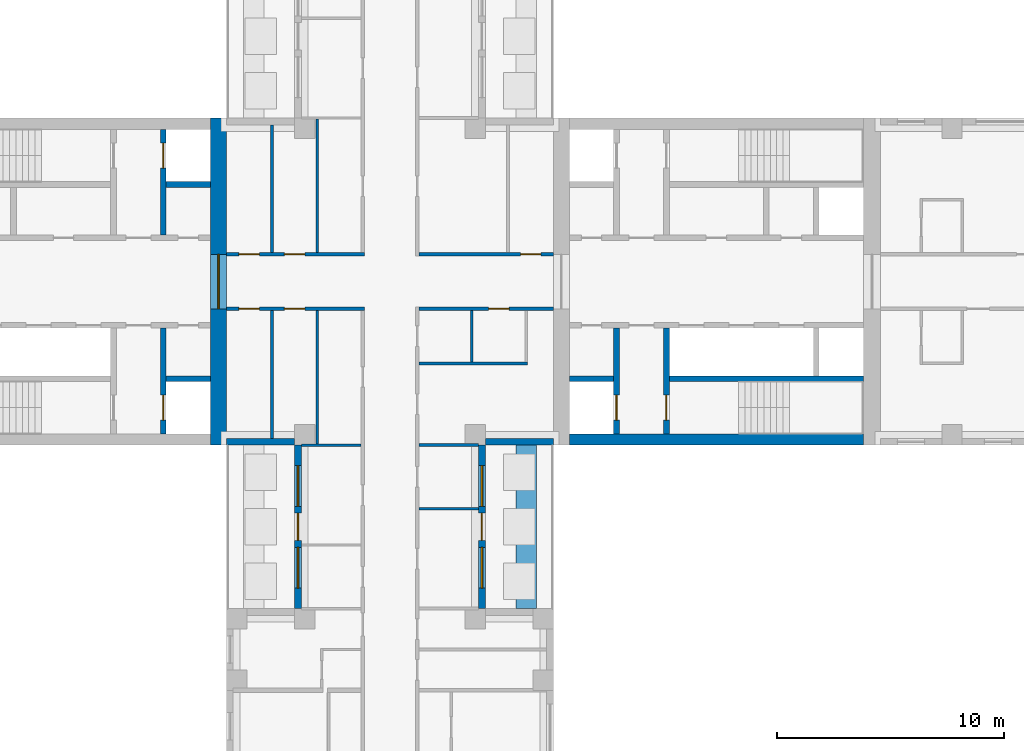
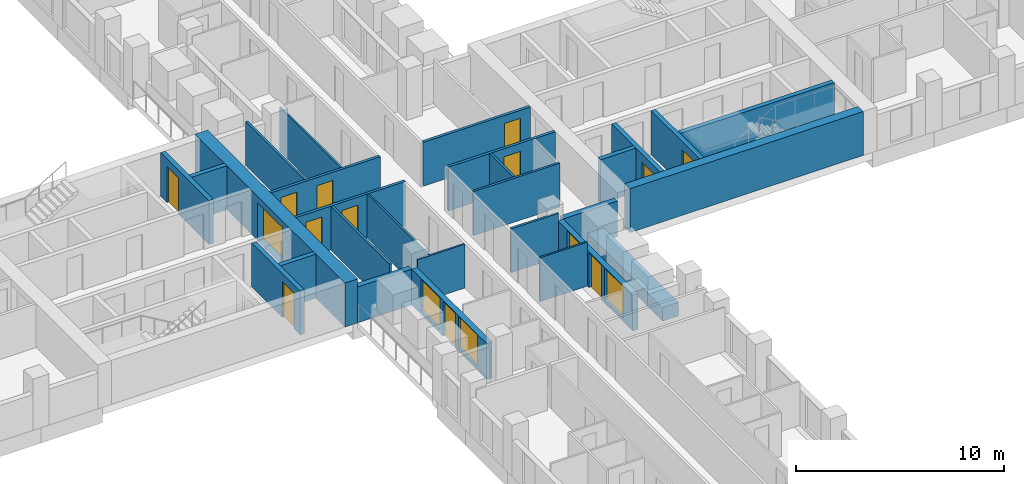
# One storey, part 7 of 15: 28 walls, 13 doors, 4 windows, 17 openings.
"""IFC4 building model written with IfcOpenShell, lengths in metres."""

from ifc_helpers import new_model, si_unit, direction, frame, frame_2d, origin, place, context, subcontext, project, spatial, rectangle, extrude, material, layer, layer_set, type_object, element, fill, save


model = new_model("IFC4")

# Units and contexts
model_context = context("Model", 3, precision=1e-05, world=origin(), true_north=direction((0.0, 1.0)))
body_context = subcontext(model_context, "Body", "Model", "MODEL_VIEW")
ifc_project = project(units=[si_unit("LENGTHUNIT", "METRE"), si_unit("AREAUNIT", "SQUARE_METRE"), si_unit("VOLUMEUNIT", "CUBIC_METRE"), si_unit("PLANEANGLEUNIT", "RADIAN"), si_unit("MASSUNIT", "GRAM", prefix="KILO")], contexts=[model_context])

# Site, building, storey
site_placement = place(None, origin())
site = spatial("IfcSite", under=ifc_project, at=site_placement, CompositionType="ELEMENT")
building_placement = place(site_placement, origin())
building = spatial("IfcBuilding", under=site, at=building_placement, Name="Fustian Cross Tower", CompositionType="ELEMENT")
storey_placement = place(building_placement, frame((0.0, 0.0, 53.699951171875)))
storey = spatial("IfcBuildingStorey", under=building, at=storey_placement, Name="L16", CompositionType="ELEMENT", Elevation=53.699951171875)

# Wall, openings, doors
ifc_material_1 = material(Name="Plasterboard on steel stud", Category="steel")
ifc_layer_1 = layer(ifc_material_1, 0.14990234375)
ifc_layer_set_1 = layer_set([ifc_layer_1], Name="Plasterboard on steel stud")
wall_type_1 = type_object("IfcWallType", Name="COMPARTMENT WALL 150 EI 60", PredefinedType="PARTITIONING", material=ifc_layer_set_1)
wall_1_placement = place(storey_placement, frame((-7.199951171875, -1.199951171875, 0.0), z_axis=(0.0, 0.0, 1.0), x_axis=(1.0, 0.0, 0.0)))
wall_1 = element("IfcWall", 1, at=wall_1_placement, inside=storey, type_object=wall_type_1, Name="Partition 12", PredefinedType="PARTITIONING", context=body_context, shape_type="SweptSolid", body=[
    extrude(rectangle(XDim=6.074951171875, YDim=0.14990234375, at=frame_2d((3.03759765625, 0.0))), origin(), (0.0, 0.0, 1.0), 2.574951171875),
])
opening_1_placement = place(wall_1_placement, frame((2.550048828125, 0.0, 0.0)))
opening_1 = element("IfcOpeningElement", 2, at=opening_1_placement, cuts=wall_1, Name="Opening D09010", PredefinedType="OPENING", context=body_context, shape_type="SweptSolid", body=[
    extrude(rectangle(XDim=0.89990234375, YDim=2.10009765625, at=frame_2d((0.449951171875, 1.050048828125))), frame((0.0, 0.0849609375, 0.0), z_axis=(0.0, -1.0, 0.0), x_axis=(1.0, 0.0, 0.0)), (0.0, 0.0, 1.0), 0.169921875),
])
opening_2_placement = place(wall_1_placement, frame((0.550048828125, 0.0, 0.0)))
opening_2 = element("IfcOpeningElement", 3, at=opening_2_placement, cuts=wall_1, Name="Opening D09011", PredefinedType="OPENING", context=body_context, shape_type="SweptSolid", body=[
    extrude(rectangle(XDim=0.89990234375, YDim=2.10009765625, at=frame_2d((0.449951171875, 1.050048828125))), frame((0.0, 0.0849609375, 0.0), z_axis=(0.0, -1.0, 0.0), x_axis=(1.0, 0.0, 0.0)), (0.0, 0.0, 1.0), 0.169921875),
])
ifc_material_2 = material(Name="Timber fire door set", Category="wood")
door_type_1 = type_object("IfcDoorType", Name="FIRE SWING DOOR 900 FD30S", OperationType="SINGLE_SWING_LEFT", PredefinedType="DOOR", material=ifc_material_2)
door_1_placement = place(opening_1_placement, frame((0.89990234375, 0.0, 0.0), z_axis=(0.0, 0.0, 1.0), x_axis=(-1.0, 0.0, 0.0)))
door_1 = element("IfcDoor", 4, at=door_1_placement, inside=storey, type_object=door_type_1, Name="Door D09010", OperationType="SINGLE_SWING_RIGHT", OverallHeight=2.10009765625, OverallWidth=0.89990234375, PredefinedType="DOOR", context=body_context, shape_type="SweptSolid", body=[
    extrude(rectangle(XDim=0.89990234375, YDim=2.10009765625, at=frame_2d((0.449951171875, 1.050048828125))), frame((0.0, 0.02490234375, 0.0), z_axis=(0.0, -1.0, 0.0), x_axis=(1.0, 0.0, 0.0)), (0.0, 0.0, 1.0), 0.050048828125),
])
fill(opening_1, door_1)
door_2_placement = place(opening_2_placement, frame((0.89990234375, 0.0, 0.0), z_axis=(0.0, 0.0, 1.0), x_axis=(-1.0, 0.0, 0.0)))
door_2 = element("IfcDoor", 5, at=door_2_placement, inside=storey, type_object=door_type_1, Name="Door D09011", OperationType="SINGLE_SWING_RIGHT", OverallHeight=2.10009765625, OverallWidth=0.89990234375, PredefinedType="DOOR", context=body_context, shape_type="SweptSolid", body=[
    extrude(rectangle(XDim=0.89990234375, YDim=2.10009765625, at=frame_2d((0.449951171875, 1.050048828125))), frame((0.0, 0.02490234375, 0.0), z_axis=(0.0, -1.0, 0.0), x_axis=(1.0, 0.0, 0.0)), (0.0, 0.0, 1.0), 0.050048828125),
])
fill(opening_2, door_2)

wall_2_placement = place(storey_placement, frame((-7.199951171875, 1.199951171875, 0.0), z_axis=(0.0, 0.0, 1.0), x_axis=(1.0, 0.0, 0.0)))
wall_2 = element("IfcWall", 6, at=wall_2_placement, inside=storey, type_object=wall_type_1, Name="Partition 13", PredefinedType="PARTITIONING", context=body_context, shape_type="SweptSolid", body=[
    extrude(rectangle(XDim=6.074951171875, YDim=0.14990234375, at=frame_2d((3.03759765625, 0.0))), origin(), (0.0, 0.0, 1.0), 2.574951171875),
])
opening_3_placement = place(wall_2_placement, frame((2.550048828125, 0.0, 0.0)))
opening_3 = element("IfcOpeningElement", 7, at=opening_3_placement, cuts=wall_2, Name="Opening D09004", PredefinedType="OPENING", context=body_context, shape_type="SweptSolid", body=[
    extrude(rectangle(XDim=0.89990234375, YDim=2.10009765625, at=frame_2d((0.449951171875, 1.050048828125))), frame((0.0, 0.0849609375, 0.0), z_axis=(0.0, -1.0, 0.0), x_axis=(1.0, 0.0, 0.0)), (0.0, 0.0, 1.0), 0.169921875),
])
opening_4_placement = place(wall_2_placement, frame((0.550048828125, 0.0, 0.0)))
opening_4 = element("IfcOpeningElement", 8, at=opening_4_placement, cuts=wall_2, Name="Opening D09005", PredefinedType="OPENING", context=body_context, shape_type="SweptSolid", body=[
    extrude(rectangle(XDim=0.89990234375, YDim=2.10009765625, at=frame_2d((0.449951171875, 1.050048828125))), frame((0.0, 0.0849609375, 0.0), z_axis=(0.0, -1.0, 0.0), x_axis=(1.0, 0.0, 0.0)), (0.0, 0.0, 1.0), 0.169921875),
])
door_3_placement = place(opening_3_placement, origin())
door_3 = element("IfcDoor", 9, at=door_3_placement, inside=storey, type_object=door_type_1, Name="Door D09004", OperationType="SINGLE_SWING_LEFT", OverallHeight=2.10009765625, OverallWidth=0.89990234375, PredefinedType="DOOR", context=body_context, shape_type="SweptSolid", body=[
    extrude(rectangle(XDim=0.89990234375, YDim=2.10009765625, at=frame_2d((0.449951171875, 1.050048828125))), frame((0.0, 0.02490234375, 0.0), z_axis=(0.0, -1.0, 0.0), x_axis=(1.0, 0.0, 0.0)), (0.0, 0.0, 1.0), 0.050048828125),
])
fill(opening_3, door_3)
door_4_placement = place(opening_4_placement, origin())
door_4 = element("IfcDoor", 10, at=door_4_placement, inside=storey, type_object=door_type_1, Name="Door D09005", OperationType="SINGLE_SWING_LEFT", OverallHeight=2.10009765625, OverallWidth=0.89990234375, PredefinedType="DOOR", context=body_context, shape_type="SweptSolid", body=[
    extrude(rectangle(XDim=0.89990234375, YDim=2.10009765625, at=frame_2d((0.449951171875, 1.050048828125))), frame((0.0, 0.02490234375, 0.0), z_axis=(0.0, -1.0, 0.0), x_axis=(1.0, 0.0, 0.0)), (0.0, 0.0, 1.0), 0.050048828125),
])
fill(opening_4, door_4)

# Wall, opening, door
wall_3_placement = place(storey_placement, frame((1.27490234375, -1.199951171875, 0.0), z_axis=(0.0, 0.0, 1.0), x_axis=(1.0, 0.0, 0.0)))
wall_3 = element("IfcWall", 11, at=wall_3_placement, inside=storey, type_object=wall_type_1, Name="Partition 56", PredefinedType="PARTITIONING", context=body_context, shape_type="SweptSolid", body=[
    extrude(rectangle(XDim=5.925048828125, YDim=0.14990234375, at=frame_2d((2.96240234375, 0.0))), origin(), (0.0, 0.0, 1.0), 2.574951171875),
])
opening_5_placement = place(wall_3_placement, frame((3.074951171875, 0.0, 0.0)))
opening_5 = element("IfcOpeningElement", 12, at=opening_5_placement, cuts=wall_3, Name="Opening D09007", PredefinedType="OPENING", context=body_context, shape_type="SweptSolid", body=[
    extrude(rectangle(XDim=0.89990234375, YDim=2.10009765625, at=frame_2d((0.449951171875, 1.050048828125))), frame((0.0, 0.0849609375, 0.0), z_axis=(0.0, -1.0, 0.0), x_axis=(1.0, 0.0, 0.0)), (0.0, 0.0, 1.0), 0.169921875),
])
door_5_placement = place(opening_5_placement, frame((0.89990234375, 0.0, 0.0), z_axis=(0.0, 0.0, 1.0), x_axis=(-1.0, 0.0, 0.0)))
door_5 = element("IfcDoor", 13, at=door_5_placement, inside=storey, type_object=door_type_1, Name="Door D09007", OperationType="SINGLE_SWING_RIGHT", OverallHeight=2.10009765625, OverallWidth=0.89990234375, PredefinedType="DOOR", context=body_context, shape_type="SweptSolid", body=[
    extrude(rectangle(XDim=0.89990234375, YDim=2.10009765625, at=frame_2d((0.449951171875, 1.050048828125))), frame((0.0, 0.02490234375, 0.0), z_axis=(0.0, -1.0, 0.0), x_axis=(1.0, 0.0, 0.0)), (0.0, 0.0, 1.0), 0.050048828125),
])
fill(opening_5, door_5)

wall_4_placement = place(storey_placement, frame((1.27490234375, 1.199951171875, 0.0), z_axis=(0.0, 0.0, 1.0), x_axis=(1.0, 0.0, 0.0)))
wall_4 = element("IfcWall", 14, at=wall_4_placement, inside=storey, type_object=wall_type_1, Name="Partition 58", PredefinedType="PARTITIONING", context=body_context, shape_type="SweptSolid", body=[
    extrude(rectangle(XDim=5.925048828125, YDim=0.14990234375, at=frame_2d((2.96240234375, 0.0))), origin(), (0.0, 0.0, 1.0), 2.574951171875),
])
opening_6_placement = place(wall_4_placement, frame((4.47509765625, 0.0, 0.0)))
opening_6 = element("IfcOpeningElement", 15, at=opening_6_placement, cuts=wall_4, Name="Opening D09002", PredefinedType="OPENING", context=body_context, shape_type="SweptSolid", body=[
    extrude(rectangle(XDim=0.89990234375, YDim=2.10009765625, at=frame_2d((0.449951171875, 1.050048828125))), frame((0.0, 0.0849609375, 0.0), z_axis=(0.0, -1.0, 0.0), x_axis=(1.0, 0.0, 0.0)), (0.0, 0.0, 1.0), 0.169921875),
])
door_6_placement = place(opening_6_placement, origin())
door_6 = element("IfcDoor", 16, at=door_6_placement, inside=storey, type_object=door_type_1, Name="Door D09002", OperationType="SINGLE_SWING_LEFT", OverallHeight=2.10009765625, OverallWidth=0.89990234375, PredefinedType="DOOR", context=body_context, shape_type="SweptSolid", body=[
    extrude(rectangle(XDim=0.89990234375, YDim=2.10009765625, at=frame_2d((0.449951171875, 1.050048828125))), frame((0.0, 0.02490234375, 0.0), z_axis=(0.0, -1.0, 0.0), x_axis=(1.0, 0.0, 0.0)), (0.0, 0.0, 1.0), 0.050048828125),
])
fill(opening_6, door_6)

ifc_material_3 = material(Name="Concrete C80/95", Category="concrete")
ifc_layer_2 = layer(ifc_material_3, 0.699951171875)
ifc_layer_set_2 = layer_set([ifc_layer_2], Name="Concrete C80/95")
wall_type_2 = type_object("IfcWallType", Name="CORE END WALL 700 C80/95", PredefinedType="SHEAR", material=ifc_layer_set_2)
wall_5_placement = place(storey_placement, frame((-7.550048828125, -7.199951171875, 0.0), z_axis=(0.0, 0.0, 1.0), x_axis=(0.0, 1.0, 0.0)))
wall_5 = element("IfcWall", 17, at=wall_5_placement, inside=storey, type_object=wall_type_2, Name="Core end wall", PredefinedType="SHEAR", context=body_context, shape_type="SweptSolid", body=[
    extrude(rectangle(XDim=14.39990234375, YDim=0.699951171875, at=frame_2d((7.199951171875, 0.0))), origin(), (0.0, 0.0, 1.0), 2.574951171875),
])
opening_7_placement = place(wall_5_placement, frame((6.0, 0.0, 0.0)))
opening_7 = element("IfcOpeningElement", 18, at=opening_7_placement, cuts=wall_5, Name="Opening CD-06-27", PredefinedType="OPENING", context=body_context, shape_type="SweptSolid", body=[
    extrude(rectangle(XDim=2.39990234375, YDim=2.199951171875, at=frame_2d((1.199951171875, 1.10009765625))), frame((0.0, 0.35986328125, 0.0), z_axis=(0.0, -1.0, 0.0), x_axis=(1.0, 0.0, 0.0)), (0.0, 0.0, 1.0), 0.719970703125),
])
ifc_material_4 = material(Name="Steel", Category="steel")
door_type_2 = type_object("IfcDoorType", Name="FIRE DOOR FD30S DOUBLE 2400X2200", OperationType="DOUBLE_DOOR_DOUBLE_SWING", PredefinedType="DOOR", material=ifc_material_4)
door_7_placement = place(opening_7_placement, origin())
door_7 = element("IfcDoor", 19, at=door_7_placement, inside=storey, type_object=door_type_2, Name="Core door CD-06-27", OperationType="DOUBLE_DOOR_DOUBLE_SWING", OverallHeight=2.199951171875, OverallWidth=2.39990234375, PredefinedType="DOOR", context=body_context, shape_type="SweptSolid", body=[
    extrude(rectangle(XDim=2.39990234375, YDim=2.199951171875, at=frame_2d((1.199951171875, 1.10009765625))), frame((0.0, 0.02490234375, 0.0), z_axis=(0.0, -1.0, 0.0), x_axis=(1.0, 0.0, 0.0)), (0.0, 0.0, 1.0), 0.050048828125),
])
fill(opening_7, door_7)

# Walls
ifc_material_5 = material(Name="Concrete C80/95", Category="concrete")
ifc_layer_3 = layer(ifc_material_5, 0.5)
ifc_layer_set_3 = layer_set([ifc_layer_3], Name="Concrete C80/95")
wall_type_3 = type_object("IfcWallType", Name="CORE FACADE WALL 500 C80/95", PredefinedType="SHEAR", material=ifc_layer_set_3)
wall_6_placement = place(storey_placement, frame((7.89990234375, -6.949951171875, 0.0), z_axis=(0.0, 0.0, 1.0), x_axis=(1.0, 0.0, 0.0)))
element("IfcWall", 20, at=wall_6_placement, inside=storey, type_object=wall_type_3, Name="Core facade wall", PredefinedType="SHEAR", context=body_context, shape_type="SweptSolid", body=[
    extrude(rectangle(XDim=12.9501953125, YDim=0.5, at=frame_2d((6.47509765625, 0.0))), origin(), (0.0, 0.0, 1.0), 2.574951171875),
])
ifc_material_6 = material(Name="Concrete C50/60", Category="concrete")
ifc_layer_4 = layer(ifc_material_6, 0.25)
ifc_layer_set_4 = layer_set([ifc_layer_4], Name="Concrete C50/60")
wall_type_4 = type_object("IfcWallType", Name="CORE SHAFT WALL 250 C50/60", PredefinedType="SHEAR", material=ifc_layer_set_4)
wall_7_placement = place(storey_placement, frame((7.89990234375, -4.27490234375, 0.0), z_axis=(0.0, 0.0, 1.0), x_axis=(1.0, 0.0, 0.0)))
element("IfcWall", 21, at=wall_7_placement, inside=storey, type_object=wall_type_4, Name="Core shaft wall", PredefinedType="SHEAR", context=body_context, shape_type="SweptSolid", body=[
    extrude(rectangle(XDim=1.9501953125, YDim=0.25, at=frame_2d((0.97509765625, 0.0))), origin(), (0.0, 0.0, 1.0), 2.574951171875),
])
wall_8_placement = place(storey_placement, frame((12.300048828125, -4.27490234375, 0.0), z_axis=(0.0, 0.0, 1.0), x_axis=(1.0, 0.0, 0.0)))
element("IfcWall", 22, at=wall_8_placement, inside=storey, type_object=wall_type_4, Name="Core shaft wall", PredefinedType="SHEAR", context=body_context, shape_type="SweptSolid", body=[
    extrude(rectangle(XDim=8.550048828125, YDim=0.25, at=frame_2d((4.27490234375, 0.0))), origin(), (0.0, 0.0, 1.0), 2.574951171875),
])

# Wall, opening, door
wall_9_placement = place(storey_placement, frame((9.97509765625, -2.050048828125, 0.0), z_axis=(0.0, 0.0, 1.0), x_axis=(0.0, -1.0, 0.0)))
wall_9 = element("IfcWall", 23, at=wall_9_placement, inside=storey, type_object=wall_type_4, Name="Core shaft wall", PredefinedType="SHEAR", context=body_context, shape_type="SweptSolid", body=[
    extrude(rectangle(XDim=4.64990234375, YDim=0.25, at=frame_2d((2.324951171875, 0.0))), origin(), (0.0, 0.0, 1.0), 2.574951171875),
])
opening_8_placement = place(wall_9_placement, frame((2.949951171875, 0.0, 0.0)))
opening_8 = element("IfcOpeningElement", 24, at=opening_8_placement, cuts=wall_9, Name="Opening LD", PredefinedType="OPENING", context=body_context, shape_type="SweptSolid", body=[
    extrude(rectangle(XDim=1.10009765625, YDim=2.10009765625, at=frame_2d((0.550048828125, 1.050048828125))), frame((0.0, 0.135009765625, 0.0), z_axis=(0.0, -1.0, 0.0), x_axis=(1.0, 0.0, 0.0)), (0.0, 0.0, 1.0), 0.27001953125),
])
ifc_material_7 = material(Name="Stainless steel", Category="steel")
door_type_3 = type_object("IfcDoorType", Name="LIFT LANDING DOOR 1100X2100", OperationType="SLIDING_TO_LEFT", PredefinedType="DOOR", material=ifc_material_7)
door_8_placement = place(opening_8_placement, origin())
door_8 = element("IfcDoor", 25, at=door_8_placement, inside=storey, type_object=door_type_3, Name="Landing door SV1", OperationType="SLIDING_TO_LEFT", OverallHeight=2.10009765625, OverallWidth=1.10009765625, PredefinedType="DOOR", context=body_context, shape_type="SweptSolid", body=[
    extrude(rectangle(XDim=1.10009765625, YDim=2.10009765625, at=frame_2d((0.550048828125, 1.050048828125))), frame((0.0, 0.02490234375, 0.0), z_axis=(0.0, -1.0, 0.0), x_axis=(1.0, 0.0, 0.0)), (0.0, 0.0, 1.0), 0.050048828125),
])
fill(opening_8, door_8)

wall_10_placement = place(storey_placement, frame((12.175048828125, -2.050048828125, 0.0), z_axis=(0.0, 0.0, 1.0), x_axis=(0.0, -1.0, 0.0)))
wall_10 = element("IfcWall", 26, at=wall_10_placement, inside=storey, type_object=wall_type_4, Name="Core shaft wall", PredefinedType="SHEAR", context=body_context, shape_type="SweptSolid", body=[
    extrude(rectangle(XDim=4.64990234375, YDim=0.25, at=frame_2d((2.324951171875, 0.0))), origin(), (0.0, 0.0, 1.0), 2.574951171875),
])
opening_9_placement = place(wall_10_placement, frame((2.949951171875, 0.0, 0.0)))
opening_9 = element("IfcOpeningElement", 27, at=opening_9_placement, cuts=wall_10, Name="Opening CD-06-07", PredefinedType="OPENING", context=body_context, shape_type="SweptSolid", body=[
    extrude(rectangle(XDim=1.10009765625, YDim=2.10009765625, at=frame_2d((0.550048828125, 1.050048828125))), frame((0.0, 0.135009765625, 0.0), z_axis=(0.0, -1.0, 0.0), x_axis=(1.0, 0.0, 0.0)), (0.0, 0.0, 1.0), 0.27001953125),
])
ifc_material_8 = material(Name="Steel", Category="steel")
door_type_4 = type_object("IfcDoorType", Name="FIRE DOOR FD60S 1100X2100", OperationType="SINGLE_SWING_LEFT", PredefinedType="DOOR", material=ifc_material_8)
door_9_placement = place(opening_9_placement, origin())
door_9 = element("IfcDoor", 28, at=door_9_placement, inside=storey, type_object=door_type_4, Name="Core door CD-06-07", OperationType="SINGLE_SWING_LEFT", OverallHeight=2.10009765625, OverallWidth=1.10009765625, PredefinedType="DOOR", context=body_context, shape_type="SweptSolid", body=[
    extrude(rectangle(XDim=1.10009765625, YDim=2.10009765625, at=frame_2d((0.550048828125, 1.050048828125))), frame((0.0, 0.02490234375, 0.0), z_axis=(0.0, -1.0, 0.0), x_axis=(1.0, 0.0, 0.0)), (0.0, 0.0, 1.0), 0.050048828125),
])
fill(opening_9, door_9)

# Wall
wall_11_placement = place(storey_placement, frame((-7.89990234375, 4.27490234375, 0.0), z_axis=(0.0, 0.0, 1.0), x_axis=(-1.0, 0.0, 0.0)))
element("IfcWall", 29, at=wall_11_placement, inside=storey, type_object=wall_type_4, Name="Core shaft wall", PredefinedType="SHEAR", context=body_context, shape_type="SweptSolid", body=[
    extrude(rectangle(XDim=1.9501953125, YDim=0.25, at=frame_2d((0.97509765625, 0.0))), origin(), (0.0, 0.0, 1.0), 2.574951171875),
])

# Wall, opening, door
wall_12_placement = place(storey_placement, frame((-9.97509765625, 2.050048828125, 0.0), z_axis=(0.0, 0.0, 1.0), x_axis=(0.0, 1.0, 0.0)))
wall_12 = element("IfcWall", 30, at=wall_12_placement, inside=storey, type_object=wall_type_4, Name="Core shaft wall", PredefinedType="SHEAR", context=body_context, shape_type="SweptSolid", body=[
    extrude(rectangle(XDim=4.64990234375, YDim=0.25, at=frame_2d((2.324951171875, 0.0))), origin(), (0.0, 0.0, 1.0), 2.574951171875),
])
opening_10_placement = place(wall_12_placement, frame((2.949951171875, 0.0, 0.0)))
opening_10 = element("IfcOpeningElement", 31, at=opening_10_placement, cuts=wall_12, Name="Opening LD", PredefinedType="OPENING", context=body_context, shape_type="SweptSolid", body=[
    extrude(rectangle(XDim=1.10009765625, YDim=2.10009765625, at=frame_2d((0.550048828125, 1.050048828125))), frame((0.0, 0.135009765625, 0.0), z_axis=(0.0, -1.0, 0.0), x_axis=(1.0, 0.0, 0.0)), (0.0, 0.0, 1.0), 0.27001953125),
])
door_10_placement = place(opening_10_placement, origin())
door_10 = element("IfcDoor", 32, at=door_10_placement, inside=storey, type_object=door_type_3, Name="Landing door FL1W", OperationType="SLIDING_TO_LEFT", OverallHeight=2.10009765625, OverallWidth=1.10009765625, PredefinedType="DOOR", context=body_context, shape_type="SweptSolid", body=[
    extrude(rectangle(XDim=1.10009765625, YDim=2.10009765625, at=frame_2d((0.550048828125, 1.050048828125))), frame((0.0, 0.02490234375, 0.0), z_axis=(0.0, -1.0, 0.0), x_axis=(1.0, 0.0, 0.0)), (0.0, 0.0, 1.0), 0.050048828125),
])
fill(opening_10, door_10)

# Wall
wall_13_placement = place(storey_placement, frame((-7.89990234375, -4.27490234375, 0.0), z_axis=(0.0, 0.0, 1.0), x_axis=(-1.0, 0.0, 0.0)))
element("IfcWall", 33, at=wall_13_placement, inside=storey, type_object=wall_type_4, Name="Core shaft wall", PredefinedType="SHEAR", context=body_context, shape_type="SweptSolid", body=[
    extrude(rectangle(XDim=1.9501953125, YDim=0.25, at=frame_2d((0.97509765625, 0.0))), origin(), (0.0, 0.0, 1.0), 2.574951171875),
])

# Wall, opening, door
wall_14_placement = place(storey_placement, frame((-9.97509765625, -2.050048828125, 0.0), z_axis=(0.0, 0.0, 1.0), x_axis=(0.0, -1.0, 0.0)))
wall_14 = element("IfcWall", 34, at=wall_14_placement, inside=storey, type_object=wall_type_4, Name="Core shaft wall", PredefinedType="SHEAR", context=body_context, shape_type="SweptSolid", body=[
    extrude(rectangle(XDim=4.64990234375, YDim=0.25, at=frame_2d((2.324951171875, 0.0))), origin(), (0.0, 0.0, 1.0), 2.574951171875),
])
opening_11_placement = place(wall_14_placement, frame((2.949951171875, 0.0, 0.0)))
opening_11 = element("IfcOpeningElement", 35, at=opening_11_placement, cuts=wall_14, Name="Opening LD", PredefinedType="OPENING", context=body_context, shape_type="SweptSolid", body=[
    extrude(rectangle(XDim=1.10009765625, YDim=2.10009765625, at=frame_2d((0.550048828125, 1.050048828125))), frame((0.0, 0.135009765625, 0.0), z_axis=(0.0, -1.0, 0.0), x_axis=(1.0, 0.0, 0.0)), (0.0, 0.0, 1.0), 0.27001953125),
])
door_11_placement = place(opening_11_placement, origin())
door_11 = element("IfcDoor", 36, at=door_11_placement, inside=storey, type_object=door_type_3, Name="Landing door SV1W", OperationType="SLIDING_TO_LEFT", OverallHeight=2.10009765625, OverallWidth=1.10009765625, PredefinedType="DOOR", context=body_context, shape_type="SweptSolid", body=[
    extrude(rectangle(XDim=1.10009765625, YDim=2.10009765625, at=frame_2d((0.550048828125, 1.050048828125))), frame((0.0, 0.02490234375, 0.0), z_axis=(0.0, -1.0, 0.0), x_axis=(1.0, 0.0, 0.0)), (0.0, 0.0, 1.0), 0.050048828125),
])
fill(opening_11, door_11)

# Walls
ifc_material_9 = material(Name="Plasterboard on steel stud", Category="steel")
ifc_layer_5 = layer(ifc_material_9, 0.10009765625)
ifc_layer_set_5 = layer_set([ifc_layer_5], Name="Plasterboard on steel stud")
wall_type_5 = type_object("IfcWallType", Name="PARTITION 100 STUD", PredefinedType="PARTITIONING", material=ifc_layer_set_5)
wall_15_placement = place(storey_placement, frame((-3.89990234375, -7.199951171875, 0.0), z_axis=(0.0, 0.0, 1.0), x_axis=(1.0, 0.0, 0.0)))
element("IfcWall", 37, at=wall_15_placement, inside=storey, type_object=wall_type_5, Name="Partition 30", PredefinedType="PARTITIONING", context=body_context, shape_type="SweptSolid", body=[
    extrude(rectangle(XDim=2.625, YDim=0.10009765625, at=frame_2d((1.3125, 0.0))), origin(), (0.0, 0.0, 1.0), 2.574951171875),
])
for number, where, z_axis, x_axis, name in (
    (38, (-3.199951171875, -7.14990234375, 0.0), (0.0, 0.0, 1.0), (0.0, 1.0, 0.0), "Partition 40"),
    (39, (-3.199951171875, 1.27490234375, 0.0), (0.0, 0.0, 1.0), (0.0, 1.0, 0.0), "Partition 41"),
):
    element("IfcWall", number, at=place(storey_placement, frame(where, z_axis=z_axis, x_axis=x_axis)), inside=storey, type_object=wall_type_5, Name=name, PredefinedType="PARTITIONING", context=body_context, shape_type="SweptSolid", body=[
        extrude(rectangle(XDim=5.875, YDim=0.10009765625, at=frame_2d((2.9375, 0.0))), origin(), (0.0, 0.0, 1.0), 2.574951171875),
    ])
wall_16_placement = place(storey_placement, frame((1.27490234375, -10.0, 0.0), z_axis=(0.0, 0.0, 1.0), x_axis=(1.0, 0.0, 0.0)))
element("IfcWall", 40, at=wall_16_placement, inside=storey, type_object=wall_type_5, Name="Partition 53", PredefinedType="PARTITIONING", context=body_context, shape_type="SweptSolid", body=[
    extrude(rectangle(XDim=2.625, YDim=0.10009765625, at=frame_2d((1.3125, 0.0))), origin(), (0.0, 0.0, 1.0), 2.574951171875),
])
ifc_material_10 = material(Name="Concrete C40/50", Category="concrete")
ifc_layer_6 = layer(ifc_material_10, 0.89990234375)
ifc_layer_set_6 = layer_set([ifc_layer_6], Name="Concrete C40/50")
wall_type_6 = type_object("IfcWallType", Name="PK1 PLANTER 900", PredefinedType="PARAPET", material=ifc_layer_set_6)
wall_17_placement = place(storey_placement, frame((6.0, -14.39990234375, 0.0), z_axis=(0.0, 0.0, 1.0), x_axis=(0.0, 1.0, 0.0)))
element("IfcWall", 41, at=wall_17_placement, inside=storey, type_object=wall_type_6, Name="PLANTER", PredefinedType="PARAPET", context=body_context, shape_type="SweptSolid", body=[
    extrude(rectangle(XDim=7.199951171875, YDim=0.89990234375, at=frame_2d((3.60009765625, 0.0))), origin(), (0.0, 0.0, 1.0), 0.800048828125),
])
ifc_material_11 = material(Name="Plasterboard on steel stud", Category="steel")
ifc_layer_7 = layer(ifc_material_11, 0.125)
ifc_layer_set_7 = layer_set([ifc_layer_7], Name="Plasterboard on steel stud")
wall_type_7 = type_object("IfcWallType", Name="WET WALL 125 STUD", PredefinedType="PARTITIONING", material=ifc_layer_set_7)
for number, where, z_axis, x_axis, name in (
    (42, (-5.199951171875, -6.89990234375, 0.0), (0.0, 0.0, 1.0), (0.0, 1.0, 0.0), "Partition 22"),
    (43, (-5.199951171875, 1.27490234375, 0.0), (0.0, 0.0, 1.0), (0.0, 1.0, 0.0), "Partition 23"),
):
    element("IfcWall", number, at=place(storey_placement, frame(where, z_axis=z_axis, x_axis=x_axis)), inside=storey, type_object=wall_type_7, Name=name, PredefinedType="PARTITIONING", context=body_context, shape_type="SweptSolid", body=[
        extrude(rectangle(XDim=5.625, YDim=0.125, at=frame_2d((2.8125, 0.0))), origin(), (0.0, 0.0, 1.0), 2.574951171875),
    ])
wall_18_placement = place(storey_placement, frame((1.27490234375, -7.199951171875, 0.0), z_axis=(0.0, 0.0, 1.0), x_axis=(1.0, 0.0, 0.0)))
element("IfcWall", 44, at=wall_18_placement, inside=storey, type_object=wall_type_7, Name="Partition 54", PredefinedType="PARTITIONING", context=body_context, shape_type="SweptSolid", body=[
    extrude(rectangle(XDim=2.625, YDim=0.125, at=frame_2d((1.3125, 0.0))), origin(), (0.0, 0.0, 1.0), 2.574951171875),
])
wall_19_placement = place(storey_placement, frame((1.27490234375, -3.60009765625, 0.0), z_axis=(0.0, 0.0, 1.0), x_axis=(1.0, 0.0, 0.0)))
element("IfcWall", 45, at=wall_19_placement, inside=storey, type_object=wall_type_7, Name="Partition 55", PredefinedType="PARTITIONING", context=body_context, shape_type="SweptSolid", body=[
    extrude(rectangle(XDim=4.78759765625, YDim=0.125, at=frame_2d((2.393798828125, 0.0))), origin(), (0.0, 0.0, 1.0), 2.574951171875),
])
wall_20_placement = place(storey_placement, frame((3.60009765625, -3.53759765625, 0.0), z_axis=(0.0, 0.0, 1.0), x_axis=(0.0, 1.0, 0.0)))
element("IfcWall", 46, at=wall_20_placement, inside=storey, type_object=wall_type_7, Name="Partition 76", PredefinedType="PARTITIONING", context=body_context, shape_type="SweptSolid", body=[
    extrude(rectangle(XDim=2.2626953125, YDim=0.125, at=frame_2d((1.13134765625, 0.0))), origin(), (0.0, 0.0, 1.0), 2.574951171875),
])
ifc_material_12 = material(Name="Dark aluminium cladding on insulated backing wall", Category="aluminium")
ifc_layer_8 = layer(ifc_material_12, 0.300048828125)
ifc_layer_set_8 = layer_set([ifc_layer_8], Name="Dark aluminium cladding on insulated backing wall")
wall_type_8 = type_object("IfcWallType", Name="XW1 EXTERNAL WALL 300", PredefinedType="SOLIDWALL", material=ifc_layer_set_8)
wall_21_placement = place(storey_placement, frame((-7.199951171875, -7.050048828125, 0.0), z_axis=(0.0, 0.0, 1.0), x_axis=(1.0, 0.0, 0.0)))
element("IfcWall", 47, at=wall_21_placement, inside=storey, type_object=wall_type_8, Name="External wall", PredefinedType="SOLIDWALL", context=body_context, shape_type="SweptSolid", body=[
    extrude(rectangle(XDim=3.0, YDim=0.300048828125, at=frame_2d((1.5, 0.0))), origin(), (0.0, 0.0, 1.0), 2.10009765625),
])

# Wall, openings, door, windows
wall_22_placement = place(storey_placement, frame((-4.050048828125, -7.199951171875, 0.0), z_axis=(0.0, 0.0, 1.0), x_axis=(0.0, -1.0, 0.0)))
wall_22 = element("IfcWall", 48, at=wall_22_placement, inside=storey, type_object=wall_type_8, Name="External wall", PredefinedType="SOLIDWALL", context=body_context, shape_type="SweptSolid", body=[
    extrude(rectangle(XDim=7.199951171875, YDim=0.300048828125, at=frame_2d((3.60009765625, 0.0))), origin(), (0.0, 0.0, 1.0), 2.10009765625),
])
opening_12_placement = place(wall_22_placement, frame((3.0, 0.0, 0.0)))
opening_12 = element("IfcOpeningElement", 49, at=opening_12_placement, cuts=wall_22, Name="Opening XD4", PredefinedType="OPENING", context=body_context, shape_type="SweptSolid", body=[
    extrude(rectangle(XDim=1.199951171875, YDim=2.050048828125, at=frame_2d((0.60009765625, 1.02490234375))), frame((0.0, 0.159912109375, 0.0), z_axis=(0.0, -1.0, 0.0), x_axis=(1.0, 0.0, 0.0)), (0.0, 0.0, 1.0), 0.320068359375),
])
opening_13_placement = place(wall_22_placement, frame((0.89990234375, 0.0, 0.199951171875)))
opening_13 = element("IfcOpeningElement", 50, at=opening_13_placement, cuts=wall_22, Name="Opening WN2", PredefinedType="OPENING", context=body_context, shape_type="SweptSolid", body=[
    extrude(rectangle(XDim=1.800048828125, YDim=1.85009765625, at=frame_2d((0.89990234375, 0.925048828125))), frame((0.0, 0.159912109375, 0.0), z_axis=(0.0, -1.0, 0.0), x_axis=(1.0, 0.0, 0.0)), (0.0, 0.0, 1.0), 0.320068359375),
])
opening_14_placement = place(wall_22_placement, frame((4.5, 0.0, 0.199951171875)))
opening_14 = element("IfcOpeningElement", 51, at=opening_14_placement, cuts=wall_22, Name="Opening WN2", PredefinedType="OPENING", context=body_context, shape_type="SweptSolid", body=[
    extrude(rectangle(XDim=1.800048828125, YDim=1.85009765625, at=frame_2d((0.89990234375, 0.925048828125))), frame((0.0, 0.159912109375, 0.0), z_axis=(0.0, -1.0, 0.0), x_axis=(1.0, 0.0, 0.0)), (0.0, 0.0, 1.0), 0.320068359375),
])
ifc_material_13 = material(Name="Dark anodised aluminium and double glazing", Category="aluminium")
door_type_5 = type_object("IfcDoorType", Name="ED1 BALCONY DOOR 1200X2050", OperationType="SINGLE_SWING_LEFT", PredefinedType="DOOR", material=ifc_material_13)
door_12_placement = place(opening_12_placement, origin())
door_12 = element("IfcDoor", 52, at=door_12_placement, inside=storey, type_object=door_type_5, Name="Balcony door", OperationType="SINGLE_SWING_LEFT", OverallHeight=2.050048828125, OverallWidth=1.199951171875, PredefinedType="DOOR", context=body_context, shape_type="SweptSolid", body=[
    extrude(rectangle(XDim=1.199951171875, YDim=2.050048828125, at=frame_2d((0.60009765625, 1.02490234375))), frame((0.0, 0.02490234375, 0.0), z_axis=(0.0, -1.0, 0.0), x_axis=(1.0, 0.0, 0.0)), (0.0, 0.0, 1.0), 0.050048828125),
])
fill(opening_12, door_12)
ifc_material_14 = material(Name="Dark anodised aluminium and double glazing", Category="aluminium")
window_type = type_object("IfcWindowType", Name="WN2 WINDOW 1800X1850", PartitioningType="SINGLE_PANEL", PredefinedType="WINDOW", material=ifc_material_14)
window_1_placement = place(opening_13_placement, origin())
window_1 = element("IfcWindow", 53, at=window_1_placement, inside=storey, type_object=window_type, Name="Window", OverallHeight=1.85009765625, OverallWidth=1.800048828125, PartitioningType="SINGLE_PANEL", PredefinedType="WINDOW", context=body_context, shape_type="SweptSolid", body=[
    extrude(rectangle(XDim=1.800048828125, YDim=1.85009765625, at=frame_2d((0.89990234375, 0.925048828125))), frame((0.0, 0.030029296875, 0.0), z_axis=(0.0, -1.0, 0.0), x_axis=(1.0, 0.0, 0.0)), (0.0, 0.0, 1.0), 0.06005859375),
])
fill(opening_13, window_1)
window_2_placement = place(opening_14_placement, origin())
window_2 = element("IfcWindow", 54, at=window_2_placement, inside=storey, type_object=window_type, Name="Window", OverallHeight=1.85009765625, OverallWidth=1.800048828125, PartitioningType="SINGLE_PANEL", PredefinedType="WINDOW", context=body_context, shape_type="SweptSolid", body=[
    extrude(rectangle(XDim=1.800048828125, YDim=1.85009765625, at=frame_2d((0.89990234375, 0.925048828125))), frame((0.0, 0.030029296875, 0.0), z_axis=(0.0, -1.0, 0.0), x_axis=(1.0, 0.0, 0.0)), (0.0, 0.0, 1.0), 0.06005859375),
])
fill(opening_14, window_2)

wall_23_placement = place(storey_placement, frame((4.050048828125, -14.39990234375, 0.0), z_axis=(0.0, 0.0, 1.0), x_axis=(0.0, 1.0, 0.0)))
wall_23 = element("IfcWall", 55, at=wall_23_placement, inside=storey, type_object=wall_type_8, Name="External wall", PredefinedType="SOLIDWALL", context=body_context, shape_type="SweptSolid", body=[
    extrude(rectangle(XDim=7.199951171875, YDim=0.300048828125, at=frame_2d((3.60009765625, 0.0))), origin(), (0.0, 0.0, 1.0), 2.10009765625),
])
opening_15_placement = place(wall_23_placement, frame((3.0, 0.0, 0.0)))
opening_15 = element("IfcOpeningElement", 56, at=opening_15_placement, cuts=wall_23, Name="Opening XD3", PredefinedType="OPENING", context=body_context, shape_type="SweptSolid", body=[
    extrude(rectangle(XDim=1.199951171875, YDim=2.050048828125, at=frame_2d((0.60009765625, 1.02490234375))), frame((0.0, 0.159912109375, 0.0), z_axis=(0.0, -1.0, 0.0), x_axis=(1.0, 0.0, 0.0)), (0.0, 0.0, 1.0), 0.320068359375),
])
opening_16_placement = place(wall_23_placement, frame((0.89990234375, 0.0, 0.199951171875)))
opening_16 = element("IfcOpeningElement", 57, at=opening_16_placement, cuts=wall_23, Name="Opening WN2", PredefinedType="OPENING", context=body_context, shape_type="SweptSolid", body=[
    extrude(rectangle(XDim=1.800048828125, YDim=1.85009765625, at=frame_2d((0.89990234375, 0.925048828125))), frame((0.0, 0.159912109375, 0.0), z_axis=(0.0, -1.0, 0.0), x_axis=(1.0, 0.0, 0.0)), (0.0, 0.0, 1.0), 0.320068359375),
])
opening_17_placement = place(wall_23_placement, frame((4.5, 0.0, 0.199951171875)))
opening_17 = element("IfcOpeningElement", 58, at=opening_17_placement, cuts=wall_23, Name="Opening WN2", PredefinedType="OPENING", context=body_context, shape_type="SweptSolid", body=[
    extrude(rectangle(XDim=1.800048828125, YDim=1.85009765625, at=frame_2d((0.89990234375, 0.925048828125))), frame((0.0, 0.159912109375, 0.0), z_axis=(0.0, -1.0, 0.0), x_axis=(1.0, 0.0, 0.0)), (0.0, 0.0, 1.0), 0.320068359375),
])
door_13_placement = place(opening_15_placement, origin())
door_13 = element("IfcDoor", 59, at=door_13_placement, inside=storey, type_object=door_type_5, Name="Balcony door", OperationType="SINGLE_SWING_LEFT", OverallHeight=2.050048828125, OverallWidth=1.199951171875, PredefinedType="DOOR", context=body_context, shape_type="SweptSolid", body=[
    extrude(rectangle(XDim=1.199951171875, YDim=2.050048828125, at=frame_2d((0.60009765625, 1.02490234375))), frame((0.0, 0.02490234375, 0.0), z_axis=(0.0, -1.0, 0.0), x_axis=(1.0, 0.0, 0.0)), (0.0, 0.0, 1.0), 0.050048828125),
])
fill(opening_15, door_13)
window_3_placement = place(opening_16_placement, origin())
window_3 = element("IfcWindow", 60, at=window_3_placement, inside=storey, type_object=window_type, Name="Window", OverallHeight=1.85009765625, OverallWidth=1.800048828125, PartitioningType="SINGLE_PANEL", PredefinedType="WINDOW", context=body_context, shape_type="SweptSolid", body=[
    extrude(rectangle(XDim=1.800048828125, YDim=1.85009765625, at=frame_2d((0.89990234375, 0.925048828125))), frame((0.0, 0.030029296875, 0.0), z_axis=(0.0, -1.0, 0.0), x_axis=(1.0, 0.0, 0.0)), (0.0, 0.0, 1.0), 0.06005859375),
])
fill(opening_16, window_3)
window_4_placement = place(opening_17_placement, origin())
window_4 = element("IfcWindow", 61, at=window_4_placement, inside=storey, type_object=window_type, Name="Window", OverallHeight=1.85009765625, OverallWidth=1.800048828125, PartitioningType="SINGLE_PANEL", PredefinedType="WINDOW", context=body_context, shape_type="SweptSolid", body=[
    extrude(rectangle(XDim=1.800048828125, YDim=1.85009765625, at=frame_2d((0.89990234375, 0.925048828125))), frame((0.0, 0.030029296875, 0.0), z_axis=(0.0, -1.0, 0.0), x_axis=(1.0, 0.0, 0.0)), (0.0, 0.0, 1.0), 0.06005859375),
])
fill(opening_17, window_4)

# Wall
wall_24_placement = place(storey_placement, frame((4.199951171875, -7.050048828125, 0.0), z_axis=(0.0, 0.0, 1.0), x_axis=(1.0, 0.0, 0.0)))
element("IfcWall", 62, at=wall_24_placement, inside=storey, type_object=wall_type_8, Name="External wall", PredefinedType="SOLIDWALL", context=body_context, shape_type="SweptSolid", body=[
    extrude(rectangle(XDim=3.0, YDim=0.300048828125, at=frame_2d((1.5, 0.0))), origin(), (0.0, 0.0, 1.0), 2.10009765625),
])

save(model, "model.ifc")
